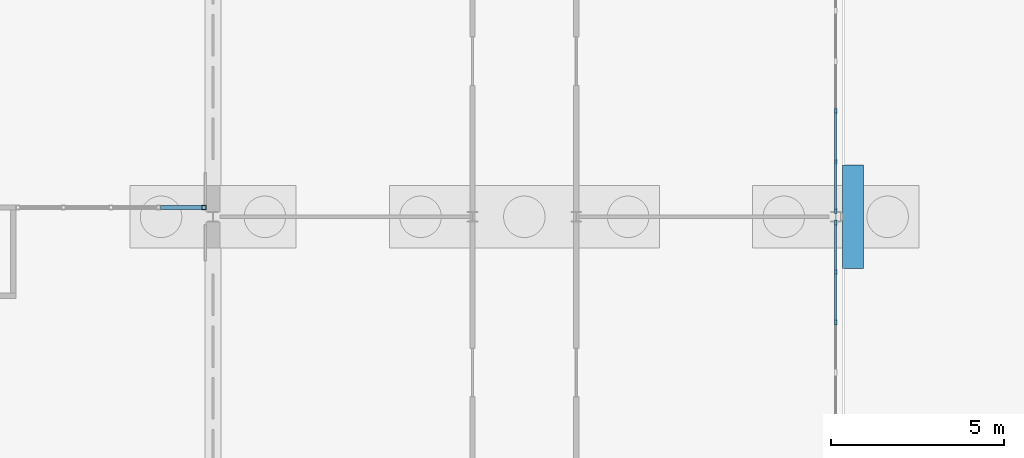
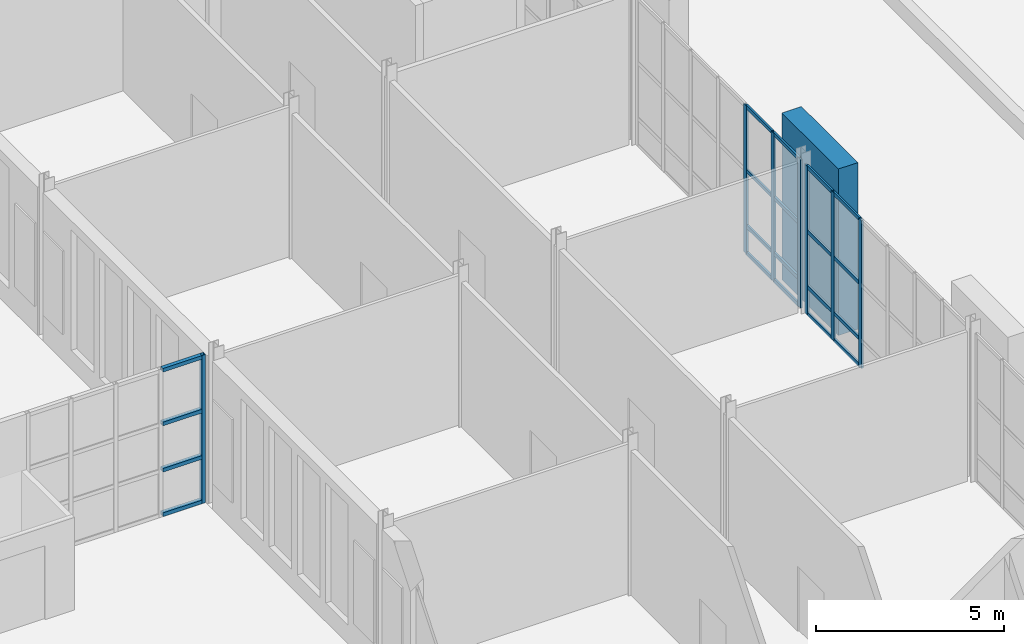
# One storey, part 60 of 168: 28 members, 3 elements without a shape of their own.
"""IFC4 building model written with IfcOpenShell, lengths in metres."""

from ifc_helpers import new_model, si_unit, direction, frame, origin, origin_2d, place, context, subcontext, project, spatial, rectangle, hollow_rectangle, extrude, material, layer, layer_set, material_profile, profile_set, type_object, element, aggregate, save


model = new_model("IFC4")

# Units and contexts
model_context = context("Model", 3, precision=1e-05, world=origin(), true_north=direction((0.0, 1.0)))
body_context = subcontext(model_context, "Body", "Model", "MODEL_VIEW")
ifc_project = project(units=[si_unit("LENGTHUNIT", "METRE"), si_unit("AREAUNIT", "SQUARE_METRE"), si_unit("VOLUMEUNIT", "CUBIC_METRE"), si_unit("PLANEANGLEUNIT", "RADIAN"), si_unit("MASSUNIT", "GRAM", prefix="KILO")], contexts=[model_context])

# Site, building, storey
site_placement = place(None, origin())
site = spatial("IfcSite", under=ifc_project, at=site_placement, CompositionType="ELEMENT")
building_placement = place(site_placement, origin())
building = spatial("IfcBuilding", under=site, at=building_placement, Name="Golden Quay Civic Hall", CompositionType="ELEMENT")
storey_placement = place(building_placement, origin())
storey = spatial("IfcBuildingStorey", under=building, at=storey_placement, Name="L00", CompositionType="ELEMENT", Elevation=0.0)

# Curtain wall, members
ifc_material_1 = material(Name="Glass, laminated double glazed", Category="glass")
ifc_layer = layer(ifc_material_1, 0.199951171875)
ifc_layer_set = layer_set([ifc_layer], Name="Glazed core strip curtain wall")
curtain_wall_type_1 = type_object("IfcCurtainWallType", Name="Glazed core strip curtain wall", PredefinedType="NOTDEFINED", material=ifc_layer_set)
curtain_wall_1_placement = place(storey_placement, origin())
curtain_wall_1 = element("IfcCurtainWall", 1, at=curtain_wall_1_placement, inside=storey, type_object=curtain_wall_type_1, Name="Glazed core strip curtain wall L00 10", PredefinedType="NOTDEFINED")
ifc_material_2 = material(Name="Aluminium, anodised", Category="aluminium")
ifc_material_profile_1 = material_profile(ifc_material_2, rectangle(XDim=0.06005859375, YDim=0.159912109375, at=origin_2d()), Name="Aluminium 60 x 160")
ifc_profile_set_1 = profile_set([ifc_material_profile_1], Name="Aluminium, anodised")
member_type_1 = type_object("IfcMemberType", Name="Aluminium mullion 60 x 160", PredefinedType="MULLION", material=ifc_profile_set_1)
member_1_placement = place(storey_placement, frame((117.0, 35.824951171875, 0.0), z_axis=(0.0, 0.0, 1.0), x_axis=(1.0, 0.0, 0.0)))
member_1 = element("IfcMember", 2, at=member_1_placement, type_object=member_type_1, Name="CW2 mullion 1", PredefinedType="MULLION", context=body_context, shape_type="SweptSolid", body=[
    extrude(rectangle(XDim=0.06005859375, YDim=0.159912109375, at=origin_2d()), origin(), (0.0, 0.0, 1.0), 4.800048828125),
])
member_2_placement = place(storey_placement, frame((117.0, 34.4033203125, 0.0), z_axis=(0.0, 0.0, 1.0), x_axis=(1.0, 0.0, 0.0)))
member_2 = element("IfcMember", 3, at=member_2_placement, type_object=member_type_1, Name="CW2 mullion 2", PredefinedType="MULLION", context=body_context, shape_type="SweptSolid", body=[
    extrude(rectangle(XDim=0.06005859375, YDim=0.159912109375, at=origin_2d()), origin(), (0.0, 0.0, 1.0), 4.800048828125),
])
member_3_placement = place(storey_placement, frame((117.0, 32.95166015625, 0.0), z_axis=(0.0, 0.0, 1.0), x_axis=(1.0, 0.0, 0.0)))
member_3 = element("IfcMember", 4, at=member_3_placement, type_object=member_type_1, Name="CW2 mullion 3", PredefinedType="MULLION", context=body_context, shape_type="SweptSolid", body=[
    extrude(rectangle(XDim=0.06005859375, YDim=0.159912109375, at=origin_2d()), origin(), (0.0, 0.0, 1.0), 4.800048828125),
])

curtain_wall_2_placement = place(storey_placement, origin())
curtain_wall_2 = element("IfcCurtainWall", 5, at=curtain_wall_2_placement, inside=storey, type_object=curtain_wall_type_1, Name="Glazed core strip curtain wall L00 11", PredefinedType="NOTDEFINED")
member_4_placement = place(storey_placement, frame((117.0, 39.04833984375, 0.0), z_axis=(0.0, 0.0, 1.0), x_axis=(1.0, 0.0, 0.0)))
member_4 = element("IfcMember", 6, at=member_4_placement, type_object=member_type_1, Name="CW2 mullion 5", PredefinedType="MULLION", context=body_context, shape_type="SweptSolid", body=[
    extrude(rectangle(XDim=0.06005859375, YDim=0.159912109375, at=origin_2d()), origin(), (0.0, 0.0, 1.0), 4.800048828125),
])
member_5_placement = place(storey_placement, frame((117.0, 37.5966796875, 0.0), z_axis=(0.0, 0.0, 1.0), x_axis=(1.0, 0.0, 0.0)))
member_5 = element("IfcMember", 7, at=member_5_placement, type_object=member_type_1, Name="CW2 mullion 6", PredefinedType="MULLION", context=body_context, shape_type="SweptSolid", body=[
    extrude(rectangle(XDim=0.06005859375, YDim=0.159912109375, at=origin_2d()), origin(), (0.0, 0.0, 1.0), 4.800048828125),
])
member_6_placement = place(storey_placement, frame((117.0, 36.175048828125, 0.0), z_axis=(0.0, 0.0, 1.0), x_axis=(1.0, 0.0, 0.0)))
member_6 = element("IfcMember", 8, at=member_6_placement, type_object=member_type_1, Name="CW2 mullion 7", PredefinedType="MULLION", context=body_context, shape_type="SweptSolid", body=[
    extrude(rectangle(XDim=0.06005859375, YDim=0.159912109375, at=origin_2d()), origin(), (0.0, 0.0, 1.0), 4.800048828125),
])

# Member
ifc_material_3 = material(Name="Aluminium, anodised", Category="aluminium")
ifc_material_profile_2 = material_profile(ifc_material_3, rectangle(XDim=0.06005859375, YDim=0.1201171875, at=origin_2d()), Name="Aluminium 60 x 120")
ifc_profile_set_2 = profile_set([ifc_material_profile_2], Name="Aluminium, anodised")
member_type_2 = type_object("IfcMemberType", Name="Aluminium transom 60 x 120", PredefinedType="USERDEFINED", material=ifc_profile_set_2)
member_7_placement = place(storey_placement, frame((117.0, 35.794921875, 0.030029296875), z_axis=(0.0, -1.0, 0.0), x_axis=(1.0, 0.0, 0.0)))
member_7 = element("IfcMember", 9, at=member_7_placement, type_object=member_type_2, Name="CW2 transom 1.1", ObjectType="TRANSOM", PredefinedType="USERDEFINED", context=body_context, shape_type="SweptSolid", body=[
    extrude(rectangle(XDim=0.06005859375, YDim=0.1201171875, at=origin_2d()), origin(), (0.0, 0.0, 1.0), 1.361572265625),
])

member_8_placement = place(storey_placement, frame((117.0, 35.794921875, 0.89990234375), z_axis=(0.0, -1.0, 0.0), x_axis=(1.0, 0.0, 0.0)))
member_8 = element("IfcMember", 10, at=member_8_placement, type_object=member_type_2, Name="CW2 transom 1.2", ObjectType="TRANSOM", PredefinedType="USERDEFINED", context=body_context, shape_type="SweptSolid", body=[
    extrude(rectangle(XDim=0.06005859375, YDim=0.1201171875, at=origin_2d()), origin(), (0.0, 0.0, 1.0), 1.361572265625),
])

member_9_placement = place(storey_placement, frame((117.0, 35.794921875, 2.699951171875), z_axis=(0.0, -1.0, 0.0), x_axis=(1.0, 0.0, 0.0)))
member_9 = element("IfcMember", 11, at=member_9_placement, type_object=member_type_2, Name="CW2 transom 1.3", ObjectType="TRANSOM", PredefinedType="USERDEFINED", context=body_context, shape_type="SweptSolid", body=[
    extrude(rectangle(XDim=0.06005859375, YDim=0.1201171875, at=origin_2d()), origin(), (0.0, 0.0, 1.0), 1.361572265625),
])

member_10_placement = place(storey_placement, frame((117.0, 35.794921875, 4.77001953125), z_axis=(0.0, -1.0, 0.0), x_axis=(1.0, 0.0, 0.0)))
member_10 = element("IfcMember", 12, at=member_10_placement, type_object=member_type_2, Name="CW2 transom 1.4", ObjectType="TRANSOM", PredefinedType="USERDEFINED", context=body_context, shape_type="SweptSolid", body=[
    extrude(rectangle(XDim=0.06005859375, YDim=0.1201171875, at=origin_2d()), origin(), (0.0, 0.0, 1.0), 1.361572265625),
])

member_11_placement = place(storey_placement, frame((117.0, 34.373291015625, 0.030029296875), z_axis=(0.0, -1.0, 0.0), x_axis=(1.0, 0.0, 0.0)))
member_11 = element("IfcMember", 13, at=member_11_placement, type_object=member_type_2, Name="CW2 transom 2.1", ObjectType="TRANSOM", PredefinedType="USERDEFINED", context=body_context, shape_type="SweptSolid", body=[
    extrude(rectangle(XDim=0.06005859375, YDim=0.1201171875, at=origin_2d()), origin(), (0.0, 0.0, 1.0), 1.3916015625),
])

member_12_placement = place(storey_placement, frame((117.0, 34.373291015625, 0.89990234375), z_axis=(0.0, -1.0, 0.0), x_axis=(1.0, 0.0, 0.0)))
member_12 = element("IfcMember", 14, at=member_12_placement, type_object=member_type_2, Name="CW2 transom 2.2", ObjectType="TRANSOM", PredefinedType="USERDEFINED", context=body_context, shape_type="SweptSolid", body=[
    extrude(rectangle(XDim=0.06005859375, YDim=0.1201171875, at=origin_2d()), origin(), (0.0, 0.0, 1.0), 1.3916015625),
])

member_13_placement = place(storey_placement, frame((117.0, 34.373291015625, 2.699951171875), z_axis=(0.0, -1.0, 0.0), x_axis=(1.0, 0.0, 0.0)))
member_13 = element("IfcMember", 15, at=member_13_placement, type_object=member_type_2, Name="CW2 transom 2.3", ObjectType="TRANSOM", PredefinedType="USERDEFINED", context=body_context, shape_type="SweptSolid", body=[
    extrude(rectangle(XDim=0.06005859375, YDim=0.1201171875, at=origin_2d()), origin(), (0.0, 0.0, 1.0), 1.3916015625),
])

member_14_placement = place(storey_placement, frame((117.0, 34.373291015625, 4.77001953125), z_axis=(0.0, -1.0, 0.0), x_axis=(1.0, 0.0, 0.0)))
member_14 = element("IfcMember", 16, at=member_14_placement, type_object=member_type_2, Name="CW2 transom 2.4", ObjectType="TRANSOM", PredefinedType="USERDEFINED", context=body_context, shape_type="SweptSolid", body=[
    extrude(rectangle(XDim=0.06005859375, YDim=0.1201171875, at=origin_2d()), origin(), (0.0, 0.0, 1.0), 1.3916015625),
])

aggregate(curtain_wall_1, [member_1, member_2, member_3, member_7, member_8, member_9, member_10, member_11, member_12, member_13, member_14])

member_15_placement = place(storey_placement, frame((117.0, 39.018310546875, 0.030029296875), z_axis=(0.0, -1.0, 0.0), x_axis=(1.0, 0.0, 0.0)))
member_15 = element("IfcMember", 17, at=member_15_placement, type_object=member_type_2, Name="CW2 transom 5.1", ObjectType="TRANSOM", PredefinedType="USERDEFINED", context=body_context, shape_type="SweptSolid", body=[
    extrude(rectangle(XDim=0.06005859375, YDim=0.1201171875, at=origin_2d()), origin(), (0.0, 0.0, 1.0), 1.3916015625),
])

member_16_placement = place(storey_placement, frame((117.0, 39.018310546875, 0.89990234375), z_axis=(0.0, -1.0, 0.0), x_axis=(1.0, 0.0, 0.0)))
member_16 = element("IfcMember", 18, at=member_16_placement, type_object=member_type_2, Name="CW2 transom 5.2", ObjectType="TRANSOM", PredefinedType="USERDEFINED", context=body_context, shape_type="SweptSolid", body=[
    extrude(rectangle(XDim=0.06005859375, YDim=0.1201171875, at=origin_2d()), origin(), (0.0, 0.0, 1.0), 1.3916015625),
])

member_17_placement = place(storey_placement, frame((117.0, 39.018310546875, 2.699951171875), z_axis=(0.0, -1.0, 0.0), x_axis=(1.0, 0.0, 0.0)))
member_17 = element("IfcMember", 19, at=member_17_placement, type_object=member_type_2, Name="CW2 transom 5.3", ObjectType="TRANSOM", PredefinedType="USERDEFINED", context=body_context, shape_type="SweptSolid", body=[
    extrude(rectangle(XDim=0.06005859375, YDim=0.1201171875, at=origin_2d()), origin(), (0.0, 0.0, 1.0), 1.3916015625),
])

member_18_placement = place(storey_placement, frame((117.0, 39.018310546875, 4.77001953125), z_axis=(0.0, -1.0, 0.0), x_axis=(1.0, 0.0, 0.0)))
member_18 = element("IfcMember", 20, at=member_18_placement, type_object=member_type_2, Name="CW2 transom 5.4", ObjectType="TRANSOM", PredefinedType="USERDEFINED", context=body_context, shape_type="SweptSolid", body=[
    extrude(rectangle(XDim=0.06005859375, YDim=0.1201171875, at=origin_2d()), origin(), (0.0, 0.0, 1.0), 1.3916015625),
])

member_19_placement = place(storey_placement, frame((117.0, 37.566650390625, 0.030029296875), z_axis=(0.0, -1.0, 0.0), x_axis=(1.0, 0.0, 0.0)))
member_19 = element("IfcMember", 21, at=member_19_placement, type_object=member_type_2, Name="CW2 transom 6.1", ObjectType="TRANSOM", PredefinedType="USERDEFINED", context=body_context, shape_type="SweptSolid", body=[
    extrude(rectangle(XDim=0.06005859375, YDim=0.1201171875, at=origin_2d()), origin(), (0.0, 0.0, 1.0), 1.361572265625),
])

member_20_placement = place(storey_placement, frame((117.0, 37.566650390625, 0.89990234375), z_axis=(0.0, -1.0, 0.0), x_axis=(1.0, 0.0, 0.0)))
member_20 = element("IfcMember", 22, at=member_20_placement, type_object=member_type_2, Name="CW2 transom 6.2", ObjectType="TRANSOM", PredefinedType="USERDEFINED", context=body_context, shape_type="SweptSolid", body=[
    extrude(rectangle(XDim=0.06005859375, YDim=0.1201171875, at=origin_2d()), origin(), (0.0, 0.0, 1.0), 1.361572265625),
])

member_21_placement = place(storey_placement, frame((117.0, 37.566650390625, 2.699951171875), z_axis=(0.0, -1.0, 0.0), x_axis=(1.0, 0.0, 0.0)))
member_21 = element("IfcMember", 23, at=member_21_placement, type_object=member_type_2, Name="CW2 transom 6.3", ObjectType="TRANSOM", PredefinedType="USERDEFINED", context=body_context, shape_type="SweptSolid", body=[
    extrude(rectangle(XDim=0.06005859375, YDim=0.1201171875, at=origin_2d()), origin(), (0.0, 0.0, 1.0), 1.361572265625),
])

member_22_placement = place(storey_placement, frame((117.0, 37.566650390625, 4.77001953125), z_axis=(0.0, -1.0, 0.0), x_axis=(1.0, 0.0, 0.0)))
member_22 = element("IfcMember", 24, at=member_22_placement, type_object=member_type_2, Name="CW2 transom 6.4", ObjectType="TRANSOM", PredefinedType="USERDEFINED", context=body_context, shape_type="SweptSolid", body=[
    extrude(rectangle(XDim=0.06005859375, YDim=0.1201171875, at=origin_2d()), origin(), (0.0, 0.0, 1.0), 1.361572265625),
])

aggregate(curtain_wall_2, [member_4, member_5, member_6, member_15, member_16, member_17, member_18, member_19, member_20, member_21, member_22])

# Curtain wall, members
ifc_material_4 = material(Name="Fire-resisting glass and steel", Category="steel")
curtain_wall_type_2 = type_object("IfcCurtainWallType", Name="Fire-resisting glazed curtain wall EI 120", PredefinedType="NOTDEFINED", material=ifc_material_4)
curtain_wall_3_placement = place(storey_placement, origin())
curtain_wall_3 = element("IfcCurtainWall", 25, at=curtain_wall_3_placement, inside=storey, type_object=curtain_wall_type_2, Name="CW3 curtain wall", PredefinedType="NOTDEFINED")
ifc_material_5 = material(Name="Steel S355", Category="steel")
ifc_material_profile_3 = material_profile(ifc_material_5, hollow_rectangle(XDim=0.1201171875, YDim=0.1201171875, WallThickness=0.008056640625, at=origin_2d()), Name="SHS 120x120x8")
ifc_profile_set_3 = profile_set([ifc_material_profile_3], Name="Steel S355")
member_type_3 = type_object("IfcMemberType", Name="Fire-resisting steel mullion SHS 120x120x8", PredefinedType="MULLION", material=ifc_profile_set_3)
member_23_placement = place(storey_placement, frame((98.739990234375, 36.27001953125, 0.0), z_axis=(0.0, 0.0, 1.0), x_axis=(0.0, 1.0, 0.0)))
member_23 = element("IfcMember", 26, at=member_23_placement, type_object=member_type_3, Name="CW3 mullion 5", PredefinedType="MULLION", context=body_context, shape_type="SweptSolid", body=[
    extrude(hollow_rectangle(XDim=0.1201171875, YDim=0.1201171875, WallThickness=0.008056640625, at=origin_2d()), origin(), (0.0, 0.0, 1.0), 4.800048828125),
])
ifc_material_6 = material(Name="Steel S355", Category="steel")
ifc_material_profile_4 = material_profile(ifc_material_6, hollow_rectangle(XDim=0.1201171875, YDim=0.1201171875, WallThickness=0.008056640625, at=origin_2d()), Name="SHS 120x120x8")
ifc_profile_set_4 = profile_set([ifc_material_profile_4], Name="Steel S355")
member_type_4 = type_object("IfcMemberType", Name="Fire-resisting steel transom SHS 120x120x8", PredefinedType="USERDEFINED", material=ifc_profile_set_4)
member_24_placement = place(storey_placement, frame((97.485107421875, 36.27001953125, 0.06005859375), z_axis=(1.0, 0.0, 0.0), x_axis=(0.0, 1.0, 0.0)))
member_24 = element("IfcMember", 27, at=member_24_placement, type_object=member_type_4, Name="CW3 transom 4.1", ObjectType="TRANSOM", PredefinedType="USERDEFINED", context=body_context, shape_type="SweptSolid", body=[
    extrude(hollow_rectangle(XDim=0.1201171875, YDim=0.1201171875, WallThickness=0.008056640625, at=origin_2d()), origin(), (0.0, 0.0, 1.0), 1.19482421875),
])
member_25_placement = place(storey_placement, frame((97.485107421875, 36.27001953125, 1.5), z_axis=(1.0, 0.0, 0.0), x_axis=(0.0, 1.0, 0.0)))
member_25 = element("IfcMember", 28, at=member_25_placement, type_object=member_type_4, Name="CW3 transom 4.2", ObjectType="TRANSOM", PredefinedType="USERDEFINED", context=body_context, shape_type="SweptSolid", body=[
    extrude(hollow_rectangle(XDim=0.1201171875, YDim=0.1201171875, WallThickness=0.008056640625, at=origin_2d()), origin(), (0.0, 0.0, 1.0), 1.19482421875),
])
member_26_placement = place(storey_placement, frame((97.485107421875, 36.27001953125, 3.0), z_axis=(1.0, 0.0, 0.0), x_axis=(0.0, 1.0, 0.0)))
member_26 = element("IfcMember", 29, at=member_26_placement, type_object=member_type_4, Name="CW3 transom 4.3", ObjectType="TRANSOM", PredefinedType="USERDEFINED", context=body_context, shape_type="SweptSolid", body=[
    extrude(hollow_rectangle(XDim=0.1201171875, YDim=0.1201171875, WallThickness=0.008056640625, at=origin_2d()), origin(), (0.0, 0.0, 1.0), 1.19482421875),
])
member_27_placement = place(storey_placement, frame((97.485107421875, 36.27001953125, 4.739990234375), z_axis=(1.0, 0.0, 0.0), x_axis=(0.0, 1.0, 0.0)))
member_27 = element("IfcMember", 30, at=member_27_placement, type_object=member_type_4, Name="CW3 transom 4.4", ObjectType="TRANSOM", PredefinedType="USERDEFINED", context=body_context, shape_type="SweptSolid", body=[
    extrude(hollow_rectangle(XDim=0.1201171875, YDim=0.1201171875, WallThickness=0.008056640625, at=origin_2d()), origin(), (0.0, 0.0, 1.0), 1.19482421875),
])
aggregate(curtain_wall_3, [member_23, member_24, member_25, member_26, member_27])

# Member
ifc_material_7 = material(Name="Concrete C40/50", Category="concrete")
ifc_material_profile_5 = material_profile(ifc_material_7, rectangle(XDim=3.0, YDim=0.60009765625, at=origin_2d()), Name="RC 3000x600")
ifc_profile_set_5 = profile_set([ifc_material_profile_5], Name="Concrete C40/50")
member_type_5 = type_object("IfcMemberType", Name="Precast concrete facade pier 3000 x 600", PredefinedType="POST", material=ifc_profile_set_5)
member_28_placement = place(storey_placement, frame((117.5, 36.0, 0.0), z_axis=(0.0, 0.0, 1.0), x_axis=(0.0, 1.0, 0.0)))
element("IfcMember", 31, at=member_28_placement, inside=storey, type_object=member_type_5, Name="Precast concrete facade pier 3000 x 600 L00 25", PredefinedType="POST", context=body_context, shape_type="SweptSolid", body=[
    extrude(rectangle(XDim=3.0, YDim=0.60009765625, at=origin_2d()), origin(), (0.0, 0.0, 1.0), 5.39990234375),
])

save(model, "model.ifc")
